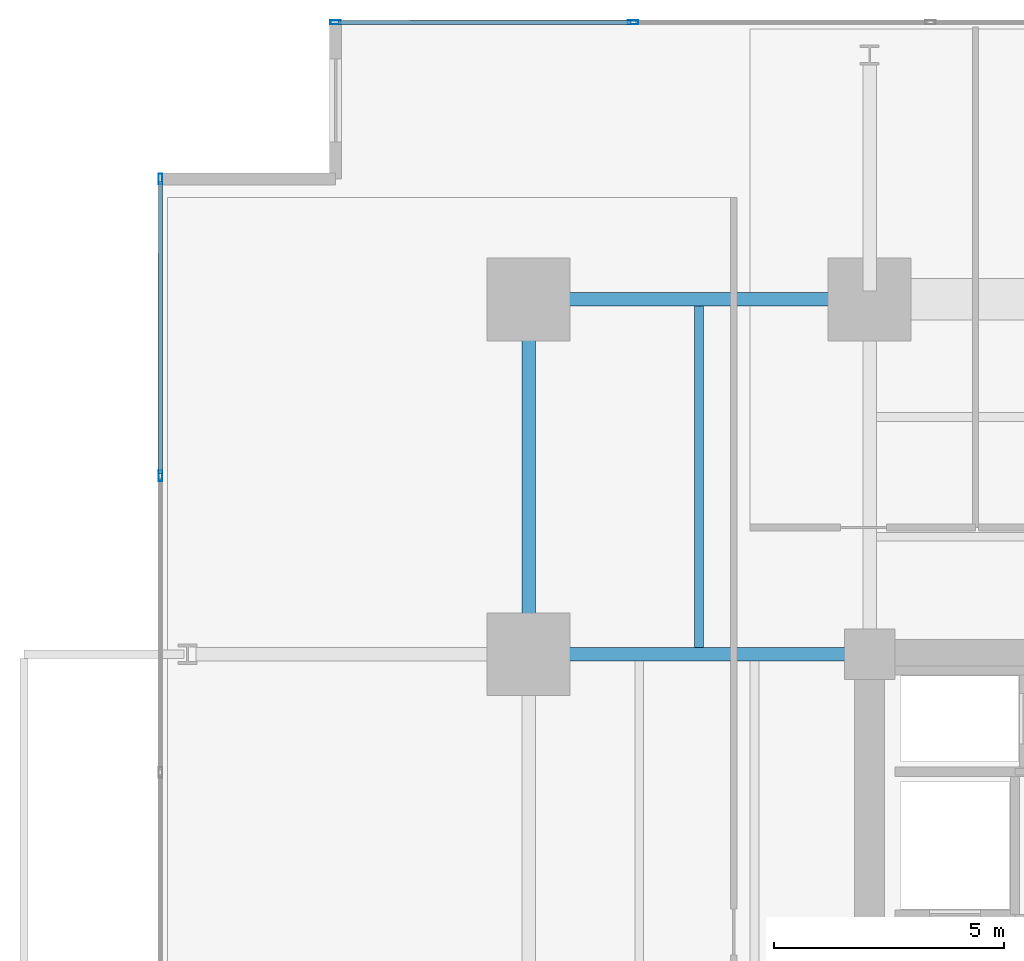
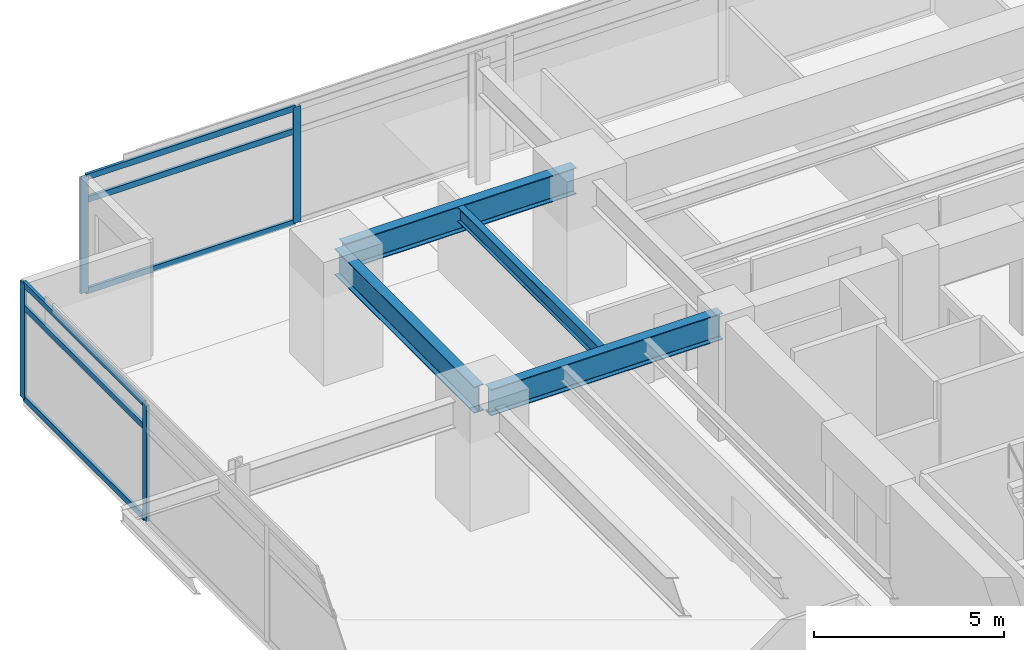
# One storey, part 7 of 24: 10 members, 4 beams, 2 elements without a shape of their own.
"""IFC4 building model written with IfcOpenShell, lengths in metres."""

from ifc_helpers import new_model, si_unit, direction, frame, origin, origin_2d, place, context, subcontext, project, spatial, hollow_rectangle, i_section, extrude, material, material_profile, profile_set, type_object, element, aggregate, save


model = new_model("IFC4")

# Units and contexts
model_context = context("Model", 3, precision=1e-05, world=origin(), true_north=direction((0.0, 1.0)))
body_context = subcontext(model_context, "Body", "Model", "MODEL_VIEW")
ifc_project = project(units=[si_unit("LENGTHUNIT", "METRE"), si_unit("AREAUNIT", "SQUARE_METRE"), si_unit("VOLUMEUNIT", "CUBIC_METRE"), si_unit("PLANEANGLEUNIT", "RADIAN"), si_unit("MASSUNIT", "GRAM", prefix="KILO")], contexts=[model_context])

# Site, building, storey
site_placement = place(None, origin())
site = spatial("IfcSite", under=ifc_project, at=site_placement, CompositionType="ELEMENT")
building_placement = place(site_placement, origin())
building = spatial("IfcBuilding", under=site, at=building_placement, Name="Kovane Verandah Tower", CompositionType="ELEMENT")
storey_placement = place(building_placement, frame((0.0, 0.0, 95.60009765625)))
storey = spatial("IfcBuildingStorey", under=building, at=storey_placement, Name="L22", CompositionType="ELEMENT", Elevation=95.60009765625)

# Beams
ifc_material_1 = material(Name="Steel S355", Category="steel")
ifc_material_profile_1 = material_profile(ifc_material_1, i_section(OverallWidth=0.293701171875, OverallDepth=0.850830078125, WebThickness=0.01611328125, FlangeThickness=0.02685546875, FilletRadius=0.017822265625, at=origin_2d()), Name="UB838x292x226")
ifc_profile_set_1 = profile_set([ifc_material_profile_1], Name="Steel S355")
beam_type_1 = type_object("IfcBeamType", Name="BM-UB838x226", PredefinedType="BEAM", material=ifc_profile_set_1)
beam_1_placement = place(storey_placement, frame((21.780029296875, 44.199951171875, 3.33447265625), z_axis=(1.0, 0.0, 0.0), x_axis=(0.0, 1.0, 0.0)))
element("IfcBeam", 1, at=beam_1_placement, inside=storey, type_object=beam_type_1, Name="L22 Primary Tower Girder G-RN1", PredefinedType="BEAM", context=body_context, shape_type="SweptSolid", body=[
    extrude(i_section(OverallWidth=0.293701171875, OverallDepth=0.850830078125, WebThickness=0.01611328125, FlangeThickness=0.02685546875, FilletRadius=0.017822265625, at=origin_2d()), origin(), (0.0, 0.0, 1.0), 7.0400390625),
])
beam_2_placement = place(storey_placement, frame((21.60009765625, 36.679931640625, 3.33447265625), z_axis=(0.0, 1.0, 0.0), x_axis=(-1.0, 0.0, 0.0)))
element("IfcBeam", 2, at=beam_2_placement, inside=storey, type_object=beam_type_1, Name="L22 Primary Tower Girder G-RW3", PredefinedType="BEAM", context=body_context, shape_type="SweptSolid", body=[
    extrude(i_section(OverallWidth=0.293701171875, OverallDepth=0.850830078125, WebThickness=0.01611328125, FlangeThickness=0.02685546875, FilletRadius=0.017822265625, at=origin_2d()), origin(), (0.0, 0.0, 1.0), 7.340087890625),
])
beam_3_placement = place(storey_placement, frame((28.820068359375, 36.5, 3.33447265625), z_axis=(-1.0, 0.0, 0.0), x_axis=(0.0, -1.0, 0.0)))
element("IfcBeam", 3, at=beam_3_placement, inside=storey, type_object=beam_type_1, Name="L22 Primary Tower Girder G-W2", PredefinedType="BEAM", context=body_context, shape_type="SweptSolid", body=[
    extrude(i_section(OverallWidth=0.293701171875, OverallDepth=0.850830078125, WebThickness=0.01611328125, FlangeThickness=0.02685546875, FilletRadius=0.017822265625, at=origin_2d()), origin(), (0.0, 0.0, 1.0), 7.0400390625),
])

# Curtain wall, members
ifc_material_2 = material(Name="Champagne Anodised Aluminium Frame with Low-E Clear Laminated Glass", Category="aluminium")
curtain_wall_type = type_object("IfcCurtainWallType", Name="CW-SYS-02-LOW", PredefinedType="NOTDEFINED", material=ifc_material_2)
curtain_wall_1_placement = place(storey_placement, origin())
curtain_wall_1 = element("IfcCurtainWall", 4, at=curtain_wall_1_placement, inside=storey, type_object=curtain_wall_type, Name="L22 N Unitised Curtain Wall", PredefinedType="NOTDEFINED")
ifc_material_3 = material(Name="Champagne Anodised Aluminium 6063-T6", Category="aluminium")
ifc_material_profile_2 = material_profile(ifc_material_3, hollow_rectangle(XDim=0.0849609375, YDim=0.22998046875, WallThickness=0.00390625, at=origin_2d()), Name="AL85x230x4")
ifc_profile_set_2 = profile_set([ifc_material_profile_2], Name="Champagne Anodised Aluminium 6063-T6")
member_type_1 = type_object("IfcMemberType", Name="CW-MUL-85x230", PredefinedType="MULLION", material=ifc_profile_set_2)
member_1_placement = place(storey_placement, frame((23.866455078125, 50.2109375, 0.02001953125), z_axis=(0.0, 0.0, 1.0), x_axis=(0.0, 1.0, 0.0)))
member_1 = element("IfcMember", 5, at=member_1_placement, type_object=member_type_1, Name="L22 N Unitised Curtain Wall Mullion 7", PredefinedType="MULLION", context=body_context, shape_type="SweptSolid", body=[
    extrude(hollow_rectangle(XDim=0.0849609375, YDim=0.22998046875, WallThickness=0.00390625, at=origin_2d()), origin(), (0.0, 0.0, 1.0), 3.719970703125),
])
member_2_placement = place(storey_placement, frame((17.4130859375, 50.2109375, 0.02001953125), z_axis=(0.0, 0.0, 1.0), x_axis=(0.0, 1.0, 0.0)))
member_2 = element("IfcMember", 6, at=member_2_placement, type_object=member_type_1, Name="L22 N Unitised Curtain Wall Mullion 8", PredefinedType="MULLION", context=body_context, shape_type="SweptSolid", body=[
    extrude(hollow_rectangle(XDim=0.0849609375, YDim=0.22998046875, WallThickness=0.00390625, at=origin_2d()), origin(), (0.0, 0.0, 1.0), 3.719970703125),
])

curtain_wall_2_placement = place(storey_placement, origin())
curtain_wall_2 = element("IfcCurtainWall", 7, at=curtain_wall_2_placement, inside=storey, type_object=curtain_wall_type, Name="L22 W Unitised Curtain Wall", PredefinedType="NOTDEFINED")
member_3_placement = place(storey_placement, frame((13.613037109375, 46.810791015625, 0.02001953125), z_axis=(0.0, 0.0, 1.0), x_axis=(-1.0, 0.0, 0.0)))
member_3 = element("IfcMember", 8, at=member_3_placement, type_object=member_type_1, Name="L22 W Unitised Curtain Wall Mullion 1", PredefinedType="MULLION", context=body_context, shape_type="SweptSolid", body=[
    extrude(hollow_rectangle(XDim=0.0849609375, YDim=0.22998046875, WallThickness=0.00390625, at=origin_2d()), origin(), (0.0, 0.0, 1.0), 3.719970703125),
])
member_4_placement = place(storey_placement, frame((13.613037109375, 40.373779296875, 0.02001953125), z_axis=(0.0, 0.0, 1.0), x_axis=(-1.0, 0.0, 0.0)))
member_4 = element("IfcMember", 9, at=member_4_placement, type_object=member_type_1, Name="L22 W Unitised Curtain Wall Mullion 2", PredefinedType="MULLION", context=body_context, shape_type="SweptSolid", body=[
    extrude(hollow_rectangle(XDim=0.0849609375, YDim=0.22998046875, WallThickness=0.00390625, at=origin_2d()), origin(), (0.0, 0.0, 1.0), 3.719970703125),
])

# Member
ifc_material_profile_3 = material_profile(ifc_material_3, hollow_rectangle(XDim=0.0849609375, YDim=0.18994140625, WallThickness=0.00390625, at=origin_2d()), Name="AL85x190x4")
ifc_profile_set_3 = profile_set([ifc_material_profile_3], Name="Champagne Anodised Aluminium 6063-T6")
member_type_2 = type_object("IfcMemberType", Name="CW-TRN-85x190", PredefinedType="USERDEFINED", material=ifc_profile_set_3)
member_5_placement = place(storey_placement, frame((23.81640625, 50.2109375, 0.0498046875), z_axis=(-1.0, 0.0, 0.0), x_axis=(0.0, -1.0, 0.0)))
member_5 = element("IfcMember", 10, at=member_5_placement, type_object=member_type_2, Name="L22 N Unitised Curtain Wall Transom TB Bay 7", ObjectType="TRANSOM", PredefinedType="USERDEFINED", context=body_context, shape_type="SweptSolid", body=[
    extrude(hollow_rectangle(XDim=0.0849609375, YDim=0.18994140625, WallThickness=0.00390625, at=origin_2d()), origin(), (0.0, 0.0, 1.0), 6.353515625),
])

member_6_placement = place(storey_placement, frame((23.81640625, 50.2109375, 2.97998046875), z_axis=(-1.0, 0.0, 0.0), x_axis=(0.0, -1.0, 0.0)))
member_6 = element("IfcMember", 11, at=member_6_placement, type_object=member_type_2, Name="L22 N Unitised Curtain Wall Transom TM Bay 7", ObjectType="TRANSOM", PredefinedType="USERDEFINED", context=body_context, shape_type="SweptSolid", body=[
    extrude(hollow_rectangle(XDim=0.0849609375, YDim=0.18994140625, WallThickness=0.00390625, at=origin_2d()), origin(), (0.0, 0.0, 1.0), 6.353515625),
])

member_7_placement = place(storey_placement, frame((23.81640625, 50.2109375, 3.7099609375), z_axis=(-1.0, 0.0, 0.0), x_axis=(0.0, -1.0, 0.0)))
member_7 = element("IfcMember", 12, at=member_7_placement, type_object=member_type_2, Name="L22 N Unitised Curtain Wall Transom TT Bay 7", ObjectType="TRANSOM", PredefinedType="USERDEFINED", context=body_context, shape_type="SweptSolid", body=[
    extrude(hollow_rectangle(XDim=0.0849609375, YDim=0.18994140625, WallThickness=0.00390625, at=origin_2d()), origin(), (0.0, 0.0, 1.0), 6.353515625),
])

aggregate(curtain_wall_1, [member_1, member_2, member_5, member_6, member_7])

member_8_placement = place(storey_placement, frame((13.613037109375, 46.760986328125, 0.0498046875), z_axis=(0.0, -1.0, 0.0), x_axis=(1.0, 0.0, 0.0)))
member_8 = element("IfcMember", 13, at=member_8_placement, type_object=member_type_2, Name="L22 W Unitised Curtain Wall Transom TB Bay 1", ObjectType="TRANSOM", PredefinedType="USERDEFINED", context=body_context, shape_type="SweptSolid", body=[
    extrude(hollow_rectangle(XDim=0.0849609375, YDim=0.18994140625, WallThickness=0.00390625, at=origin_2d()), origin(), (0.0, 0.0, 1.0), 6.337158203125),
])

member_9_placement = place(storey_placement, frame((13.613037109375, 46.760986328125, 2.97998046875), z_axis=(0.0, -1.0, 0.0), x_axis=(1.0, 0.0, 0.0)))
member_9 = element("IfcMember", 14, at=member_9_placement, type_object=member_type_2, Name="L22 W Unitised Curtain Wall Transom TM Bay 1", ObjectType="TRANSOM", PredefinedType="USERDEFINED", context=body_context, shape_type="SweptSolid", body=[
    extrude(hollow_rectangle(XDim=0.0849609375, YDim=0.18994140625, WallThickness=0.00390625, at=origin_2d()), origin(), (0.0, 0.0, 1.0), 6.337158203125),
])

member_10_placement = place(storey_placement, frame((13.613037109375, 46.760986328125, 3.7099609375), z_axis=(0.0, -1.0, 0.0), x_axis=(1.0, 0.0, 0.0)))
member_10 = element("IfcMember", 15, at=member_10_placement, type_object=member_type_2, Name="L22 W Unitised Curtain Wall Transom TT Bay 1", ObjectType="TRANSOM", PredefinedType="USERDEFINED", context=body_context, shape_type="SweptSolid", body=[
    extrude(hollow_rectangle(XDim=0.0849609375, YDim=0.18994140625, WallThickness=0.00390625, at=origin_2d()), origin(), (0.0, 0.0, 1.0), 6.337158203125),
])

aggregate(curtain_wall_2, [member_3, member_4, member_8, member_9, member_10])

# Beam
ifc_material_profile_4 = material_profile(ifc_material_1, i_section(OverallWidth=0.19287109375, OverallDepth=0.46728515625, WebThickness=0.011474609375, FlangeThickness=0.01953125, FilletRadius=0.01025390625, at=origin_2d()), Name="UB457x191x98")
ifc_profile_set_4 = profile_set([ifc_material_profile_4], Name="Steel S355")
beam_type_2 = type_object("IfcBeamType", Name="JST-UB457x98", PredefinedType="JOIST", material=ifc_profile_set_4)
beam_4_placement = place(storey_placement, frame((25.300048828125, 36.64501953125, 3.5263671875), z_axis=(0.0, 1.0, 0.0), x_axis=(-1.0, 0.0, 0.0)))
element("IfcBeam", 16, at=beam_4_placement, inside=storey, type_object=beam_type_2, Name="L22 Secondary Composite Joist J-NW1", PredefinedType="JOIST", context=body_context, shape_type="SweptSolid", body=[
    extrude(i_section(OverallWidth=0.19287109375, OverallDepth=0.46728515625, WebThickness=0.011474609375, FlangeThickness=0.01953125, FilletRadius=0.01025390625, at=origin_2d()), origin(), (0.0, 0.0, 1.0), 7.41015625),
])

save(model, "model.ifc")
